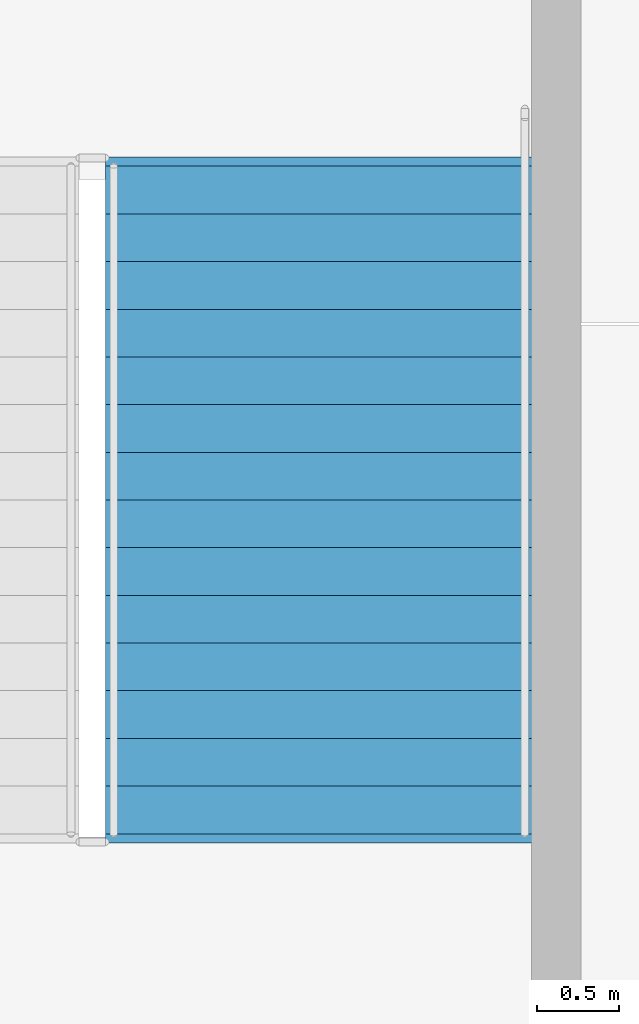
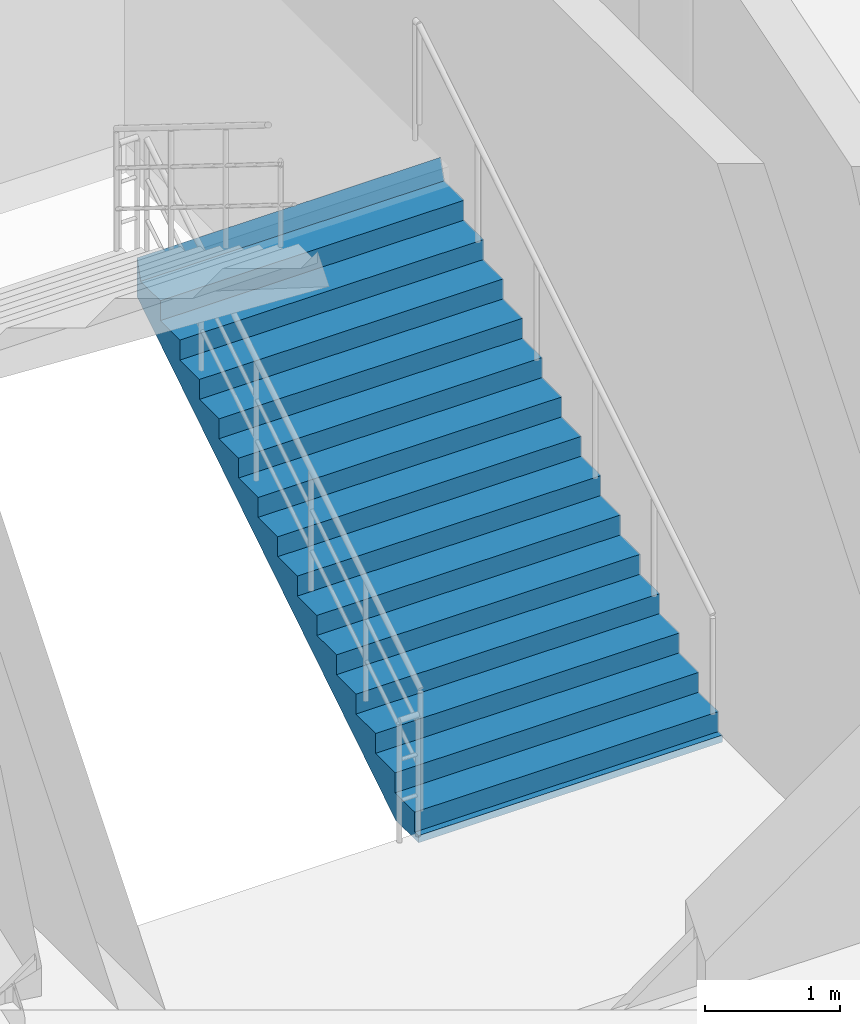
# One storey, part 75 of 93: 1 stair flight, 1 element without a shape of its own.
"""IFC4 building model written with IfcOpenShell, lengths in metres."""

import ifcopenshell
import ifcopenshell.guid

model = None  # the IFC model being written
_history = None  # IfcOwnerHistory: only IFC2X3 demands one
_inside = {}  # id of a spatial element -> (the spatial element, [elements in it])
_under = {}  # id of a project, library or spatial element -> (it, [spatial elements below it])
_declared = {}  # id of a project -> (the project, [libraries it declares])
_typed = {}  # id of a type object -> (the type object, [elements of that type])
_made_of = {}  # id of a material, layer set ... -> (it, [elements and type objects made of it])


def new_model(schema):
    """Start an empty IFC model of exactly this schema.

    Asked for "IFC4X3", IfcOpenShell would pick the latest addendum, in which some entities
    have other attributes; the version numbers below select the first issue.
    IFC2X3 requires an IfcOwnerHistory on every rooted entity: one is made here for all.
    """
    global model, _history
    if schema == "IFC4X3":
        model = ifcopenshell.file(schema_version=(4, 3, 0, 0))
    else:
        model = ifcopenshell.file(schema=schema)
    _inside.clear()
    _under.clear()
    _declared.clear()
    _typed.clear()
    _made_of.clear()
    _history = None
    if model.schema == "IFC2X3":
        org = make("IfcOrganization", Name="unknown")
        user = make(
            "IfcPersonAndOrganization",
            ThePerson=make("IfcPerson", FamilyName="unknown"),
            TheOrganization=org,
        )
        app = make(
            "IfcApplication",
            ApplicationDeveloper=org,
            Version="unknown",
            ApplicationFullName="unknown",
            ApplicationIdentifier="unknown",
        )
        _history = make(
            "IfcOwnerHistory",
            OwningUser=user,
            OwningApplication=app,
            ChangeAction="ADDED",
            CreationDate=0,
        )
    return model


def make(cls, **values):
    """One entity of the class cls with the attributes given. An attribute that is None is left unset."""
    return model.create_entity(
        cls, **{name: value for name, value in values.items() if value is not None}
    )


def rooted(cls, **values):
    """An entity with a GlobalId (a new one), such as an element, a storey or a relation."""
    return make(cls, GlobalId=ifcopenshell.guid.new(), OwnerHistory=_history, **values)


def si_unit(unit_type, name, prefix=None):
    """IfcSIUnit, for example si_unit("LENGTHUNIT", "METRE", prefix="MILLI")."""
    return make("IfcSIUnit", UnitType=unit_type, Prefix=prefix, Name=name)


def assignment(units):
    """IfcUnitAssignment: the units of a project."""
    return None if units is None else make("IfcUnitAssignment", Units=units)


def point(xyz):
    """IfcCartesianPoint."""
    return None if xyz is None else make("IfcCartesianPoint", Coordinates=xyz)


def direction(xyz):
    """IfcDirection."""
    return None if xyz is None else make("IfcDirection", DirectionRatios=xyz)


def frame(location, z_axis=None, x_axis=None):
    """IfcAxis2Placement3D, a coordinate frame: its origin and axes. An axis left out is left unset."""
    return make(
        "IfcAxis2Placement3D",
        Location=point(location),
        Axis=direction(z_axis),
        RefDirection=direction(x_axis),
    )


def origin():
    """The frame at (0, 0, 0) with its axes left unset."""
    return frame((0.0, 0.0, 0.0))


def place(relative_to, where):
    """IfcLocalPlacement: puts the frame where relative to a parent placement (None: the world)."""
    return make(
        "IfcLocalPlacement", PlacementRelTo=relative_to, RelativePlacement=where
    )


def context(
    kind, dimensions, precision=None, world=None, true_north=None, identifier=None
):
    """IfcGeometricRepresentationContext, for example the 3D "Model" context."""
    return make(
        "IfcGeometricRepresentationContext",
        ContextIdentifier=identifier,
        ContextType=kind,
        CoordinateSpaceDimension=dimensions,
        Precision=precision,
        WorldCoordinateSystem=world,
        TrueNorth=true_north,
    )


def subcontext(parent, identifier, kind, view, scale=None):
    """IfcGeometricRepresentationSubContext, for example "Body" below "Model"."""
    return make(
        "IfcGeometricRepresentationSubContext",
        ContextIdentifier=identifier,
        ContextType=kind,
        ParentContext=parent,
        TargetScale=scale,
        TargetView=view,
    )


def project(units=None, contexts=None):
    """IfcProject with its units and contexts."""
    return rooted(
        "IfcProject",
        Name="project",
        RepresentationContexts=contexts,
        UnitsInContext=assignment(units),
    )


def spatial(cls, under=None, at=None, **own):
    """A site, building, storey or space (cls), placed at a placement, below another one or the project."""
    s = rooted(cls, ObjectPlacement=at, **own)
    if under is not None:
        _under.setdefault(under.id(), (under, []))[1].append(s)
    return s


def polyline(points):
    """IfcPolyline through the points."""
    return make("IfcPolyline", Points=[point(p) for p in points])


def outline(outer, holes=None, kind="AREA"):
    """IfcArbitraryClosedProfileDef: a profile drawn as a closed curve; with holes, ...WithVoids."""
    if holes is None:
        return make("IfcArbitraryClosedProfileDef", ProfileType=kind, OuterCurve=outer)
    return make(
        "IfcArbitraryProfileDefWithVoids",
        ProfileType=kind,
        OuterCurve=outer,
        InnerCurves=holes,
    )


def extrude(swept, where, along, depth):
    """IfcExtrudedAreaSolid: the profile swept, set in the frame where, extruded along a direction by depth."""
    return make(
        "IfcExtrudedAreaSolid",
        SweptArea=swept,
        Position=where,
        ExtrudedDirection=direction(along),
        Depth=depth,
    )


def shape(context_of_items, identifier, shape_type, items):
    """IfcShapeRepresentation: the items that make up one representation, for example the "Body"."""
    return make(
        "IfcShapeRepresentation",
        ContextOfItems=context_of_items,
        RepresentationIdentifier=identifier,
        RepresentationType=shape_type,
        Items=items,
    )


def material(Name=None, Category=None):
    """IfcMaterial."""
    return make("IfcMaterial", Name=Name, Category=Category)


def made_of(thing, what):
    """Note that an element or type object is made of a material, layer set ...; save() writes the relation."""
    if what is not None:
        _made_of.setdefault(what.id(), (what, []))[1].append(thing)
    return thing


def type_object(cls, material=None, **own):
    """A type object (cls), such as IfcWallType, which elements share."""
    return made_of(rooted(cls, **own), material)


def element(
    cls,
    number,
    at=None,
    inside=None,
    cuts=None,
    type_object=None,
    material=None,
    context=None,
    identifier="Body",
    shape_type=None,
    held_by="IfcProductDefinitionShape",
    body=None,
    shapes=None,
    **own,
):
    """One element of the class cls, such as IfcWall. Its Tag is "e" and its number.

    at: its placement. inside: the storey or other place that contains it. cuts: it is an
    opening in that element (IfcRelVoidsElement). A single representation is given by context,
    identifier, shape_type and body (its items); several are given by shapes. held_by: the class
    of the entity that holds the representations. save() writes the other relations.
    """
    e = rooted(cls, Tag="e%d" % number, ObjectPlacement=at, **own)
    if body is not None:
        shapes = [shape(context, identifier, shape_type, body)]
    if shapes is not None:
        e.Representation = make(held_by, Representations=shapes)
    if inside is not None:
        _inside.setdefault(inside.id(), (inside, []))[1].append(e)
    if cuts is not None:
        rooted(
            "IfcRelVoidsElement", RelatingBuildingElement=cuts, RelatedOpeningElement=e
        )
    if type_object is not None:
        _typed.setdefault(type_object.id(), (type_object, []))[1].append(e)
    return made_of(e, material)


def aggregate(whole, parts):
    """IfcRelAggregates: a whole, such as a stair, and the parts it consists of."""
    return rooted("IfcRelAggregates", RelatingObject=whole, RelatedObjects=parts)


def save(model, path):
    """Write the relations noted so far, then the file.

    IfcRelAggregates (storeys below a building ...), IfcRelContainedInSpatialStructure (elements
    in a storey), IfcRelDefinesByType, IfcRelAssociatesMaterial and IfcRelDeclares: one each for
    every whole, place, type object, material and project.
    """
    for whole, parts in _under.values():
        aggregate(whole, parts)
    for where, things in _inside.values():
        rooted(
            "IfcRelContainedInSpatialStructure",
            RelatedElements=things,
            RelatingStructure=where,
        )
    for kind, things in _typed.values():
        rooted("IfcRelDefinesByType", RelatedObjects=things, RelatingType=kind)
    for what, things in _made_of.values():
        rooted("IfcRelAssociatesMaterial", RelatedObjects=things, RelatingMaterial=what)
    for by, libraries in _declared.values():
        rooted("IfcRelDeclares", RelatingContext=by, RelatedDefinitions=libraries)
    model.write(path)


model = new_model("IFC4")

# Units and contexts
model_context = context("Model", 3, precision=1e-05, world=origin(), true_north=direction((0.0, 1.0)))
body_context = subcontext(model_context, "Body", "Model", "MODEL_VIEW")
ifc_project = project(units=[si_unit("LENGTHUNIT", "METRE"), si_unit("AREAUNIT", "SQUARE_METRE"), si_unit("VOLUMEUNIT", "CUBIC_METRE"), si_unit("PLANEANGLEUNIT", "RADIAN"), si_unit("MASSUNIT", "GRAM", prefix="KILO")], contexts=[model_context])

# Site, building, storey
site_placement = place(None, origin())
site = spatial("IfcSite", under=ifc_project, at=site_placement, CompositionType="ELEMENT")
building_placement = place(site_placement, origin())
building = spatial("IfcBuilding", under=site, at=building_placement, Name="Cinderbank Siding Concert Hall", CompositionType="ELEMENT")
storey_placement = place(building_placement, origin())
storey = spatial("IfcBuildingStorey", under=building, at=storey_placement, Name="L01", CompositionType="ELEMENT", Elevation=0.0)

# Stair, stair flight
ifc_material = material(Name="Reinforced concrete AS 3600 N50 (50 MPa)", Category="concrete")
stair_type = type_object("IfcStairType", Name="STR-B Dogleg Exit Stair 2600mm", PredefinedType="HALF_TURN_STAIR", material=ifc_material)
stair_placement = place(storey_placement, origin())
stair = element("IfcStair", 1, at=stair_placement, inside=storey, type_object=stair_type, Name="L01 Fire-isolated Exit Stair ST-03", PredefinedType="HALF_TURN_STAIR")
stair_flight_type = type_object("IfcStairFlightType", Name="SFL-B Concrete Stair Flight 2600mm", PredefinedType="STRAIGHT", material=ifc_material)
stair_flight_placement = place(storey_placement, frame((145.89990234375, 40.89990234375, 0.0), z_axis=(0.0, 0.0, 1.0), x_axis=(0.0, 1.0, 0.0)))
stair_flight = element("IfcStairFlight", 2, at=stair_flight_placement, type_object=stair_flight_type, Name="ST-03 flight 1", NumberOfRisers=15, NumberOfTreads=14, PredefinedType="STRAIGHT", RiserHeight=0.18, TreadLength=0.29, context=body_context, shape_type="SweptSolid", body=[
    extrude(outline(polyline([(0.0, 0.0), (0.0, 0.179931640625), (0.2900390625, 0.179931640625), (0.2900390625, 0.360107421875), (0.580078125, 0.360107421875), (0.580078125, 0.5400390625), (0.8701171875, 0.5400390625), (0.8701171875, 0.719970703125), (1.159912109375, 0.719970703125), (1.159912109375, 0.89990234375), (1.449951171875, 0.89990234375), (1.449951171875, 1.080078125), (1.739990234375, 1.080078125), (1.739990234375, 1.260009765625), (2.030029296875, 1.260009765625), (2.030029296875, 1.43994140625), (2.320068359375, 1.43994140625), (2.320068359375, 1.6201171875), (2.610107421875, 1.6201171875), (2.610107421875, 1.800048828125), (2.89990234375, 1.800048828125), (2.89990234375, 1.97998046875), (3.18994140625, 1.97998046875), (3.18994140625, 2.159912109375), (3.47998046875, 2.159912109375), (3.47998046875, 2.340087890625), (3.77001953125, 2.340087890625), (3.77001953125, 2.52001953125), (4.06005859375, 2.52001953125), (4.114990234375, 2.699951171875), (4.114990234375, 2.343505859375), (4.11474609375, 2.34375), (4.11474609375, 2.343994140625), (4.11474609375, 2.34423828125), (4.11474609375, 2.344482421875), (4.11474609375, 2.3447265625), (4.11474609375, 2.344970703125), (4.11474609375, 2.34521484375), (4.11474609375, 2.345458984375), (4.11474609375, 2.345703125), (4.11474609375, 2.345947265625), (4.11474609375, 2.34619140625), (4.11474609375, 2.346435546875), (4.114501953125, 2.346435546875), (4.114501953125, 2.34619140625), (4.114501953125, 2.345947265625), (4.114501953125, 2.345703125), (4.114501953125, 2.345458984375), (4.114501953125, 2.34521484375), (4.114501953125, 2.344970703125), (4.114501953125, 2.3447265625), (4.114501953125, 2.344482421875), (4.114501953125, 2.34423828125), (4.114501953125, 2.343994140625), (4.114501953125, 2.34375), (4.114501953125, 2.343505859375), (4.1142578125, 2.34375), (4.1142578125, 2.343994140625), (4.1142578125, 2.34423828125), (4.1142578125, 2.344482421875), (4.1142578125, 2.3447265625), (4.1142578125, 2.344970703125), (4.1142578125, 2.34521484375), (4.1142578125, 2.345458984375), (4.1142578125, 2.345703125), (4.1142578125, 2.345947265625), (4.1142578125, 2.34619140625), (4.1142578125, 2.346435546875), (4.114013671875, 2.346435546875), (4.114013671875, 2.34619140625), (4.114013671875, 2.345947265625), (4.114013671875, 2.345703125), (4.114013671875, 2.345458984375), (4.114013671875, 2.34521484375), (4.114013671875, 2.344970703125), (4.114013671875, 2.3447265625), (4.114013671875, 2.344482421875), (4.114013671875, 2.34423828125), (4.114013671875, 2.343994140625), (4.114013671875, 2.34375), (4.114013671875, 2.343505859375), (4.11376953125, 2.34375), (4.11376953125, 2.343994140625), (4.11376953125, 2.34423828125), (4.11376953125, 2.344482421875), (4.11376953125, 2.3447265625), (4.11376953125, 2.344970703125), (4.11376953125, 2.34521484375), (4.11376953125, 2.345458984375), (4.11376953125, 2.345703125), (4.11376953125, 2.345947265625), (4.11376953125, 2.34619140625), (4.11376953125, 2.346435546875), (4.113525390625, 2.346435546875), (4.113525390625, 2.34619140625), (4.113525390625, 2.345947265625), (4.113525390625, 2.345703125), (4.113525390625, 2.345458984375), (4.113525390625, 2.34521484375), (4.113525390625, 2.344970703125), (4.113525390625, 2.3447265625), (4.113525390625, 2.344482421875), (4.113525390625, 2.34423828125), (4.113525390625, 2.343994140625), (4.113525390625, 2.34375), (4.113525390625, 2.343505859375), (4.11328125, 2.34375), (4.11328125, 2.343994140625), (4.11328125, 2.34423828125), (4.11328125, 2.344482421875), (4.11328125, 2.3447265625), (4.11328125, 2.344970703125), (4.11328125, 2.34521484375), (4.11328125, 2.345458984375), (4.11328125, 2.345703125), (4.11328125, 2.345947265625), (4.11328125, 2.34619140625), (4.11328125, 2.346435546875), (4.113037109375, 2.346435546875), (4.113037109375, 2.34619140625), (4.113037109375, 2.345947265625), (4.113037109375, 2.345703125), (4.113037109375, 2.345458984375), (4.113037109375, 2.34521484375), (4.113037109375, 2.344970703125), (4.113037109375, 2.3447265625), (4.113037109375, 2.344482421875), (4.113037109375, 2.34423828125), (4.113037109375, 2.343994140625), (4.113037109375, 2.34375), (4.113037109375, 2.343505859375), (4.11279296875, 2.34375), (4.11279296875, 2.343994140625), (4.11279296875, 2.34423828125), (4.11279296875, 2.344482421875), (4.11279296875, 2.3447265625), (4.11279296875, 2.344970703125), (4.11279296875, 2.34521484375), (4.11279296875, 2.345458984375), (4.11279296875, 2.345703125), (4.11279296875, 2.345947265625), (4.11279296875, 2.34619140625), (4.11279296875, 2.346435546875), (4.112548828125, 2.346435546875), (4.112548828125, 2.34619140625), (4.112548828125, 2.345947265625), (4.112548828125, 2.345703125), (4.112548828125, 2.345458984375), (4.112548828125, 2.34521484375), (4.112548828125, 2.344970703125), (4.112548828125, 2.3447265625), (4.112548828125, 2.344482421875), (4.112548828125, 2.34423828125), (4.112548828125, 2.343994140625), (4.112548828125, 2.34375), (4.112548828125, 2.343505859375), (4.1123046875, 2.34375), (4.1123046875, 2.343994140625), (4.1123046875, 2.34423828125), (4.1123046875, 2.344482421875), (4.1123046875, 2.3447265625), (4.1123046875, 2.344970703125), (4.1123046875, 2.34521484375), (4.1123046875, 2.345458984375), (4.1123046875, 2.345703125), (4.1123046875, 2.345947265625), (4.1123046875, 2.34619140625), (4.1123046875, 2.346435546875), (4.112060546875, 2.346435546875), (4.112060546875, 2.34619140625), (4.112060546875, 2.345947265625), (4.112060546875, 2.345703125), (4.112060546875, 2.345458984375), (4.112060546875, 2.34521484375), (4.112060546875, 2.344970703125), (4.112060546875, 2.3447265625), (4.112060546875, 2.344482421875), (4.112060546875, 2.34423828125), (4.112060546875, 2.343994140625), (4.112060546875, 2.34375), (4.112060546875, 2.343505859375), (4.11181640625, 2.34375), (4.11181640625, 2.343994140625), (4.11181640625, 2.34423828125), (4.11181640625, 2.344482421875), (4.11181640625, 2.3447265625), (4.11181640625, 2.344970703125), (4.11181640625, 2.34521484375), (4.11181640625, 2.345458984375), (4.11181640625, 2.345703125), (4.11181640625, 2.345947265625), (4.11181640625, 2.34619140625), (4.11181640625, 2.346435546875), (4.111572265625, 2.346435546875), (4.111572265625, 2.34619140625), (4.111572265625, 2.345947265625), (4.111572265625, 2.345703125), (4.111572265625, 2.345458984375), (4.111572265625, 2.34521484375), (4.111572265625, 2.344970703125), (4.111572265625, 2.3447265625), (4.111572265625, 2.344482421875), (4.111572265625, 2.34423828125), (4.111572265625, 2.343994140625), (4.111572265625, 2.34375), (4.111572265625, 2.343505859375), (4.111328125, 2.34375), (4.111328125, 2.343994140625), (4.111328125, 2.34423828125), (4.111328125, 2.344482421875), (4.111328125, 2.3447265625), (4.111328125, 2.344970703125), (4.111328125, 2.34521484375), (4.111328125, 2.345458984375), (4.111328125, 2.345703125), (4.111328125, 2.345947265625), (4.111328125, 2.34619140625), (4.111328125, 2.346435546875), (4.111083984375, 2.346435546875), (4.111083984375, 2.34619140625), (4.111083984375, 2.345947265625), (4.111083984375, 2.345703125), (4.111083984375, 2.345458984375), (4.111083984375, 2.34521484375), (4.111083984375, 2.344970703125), (4.111083984375, 2.3447265625), (4.111083984375, 2.344482421875), (4.111083984375, 2.34423828125), (4.111083984375, 2.343994140625), (4.111083984375, 2.34375), (4.111083984375, 2.343505859375), (4.11083984375, 2.34375), (4.11083984375, 2.343994140625), (4.11083984375, 2.34423828125), (4.11083984375, 2.344482421875), (4.11083984375, 2.3447265625), (4.11083984375, 2.344970703125), (4.11083984375, 2.34521484375), (4.11083984375, 2.345458984375), (4.11083984375, 2.345703125), (4.11083984375, 2.345947265625), (4.11083984375, 2.34619140625), (4.11083984375, 2.346435546875), (4.110595703125, 2.346435546875), (4.110595703125, 2.34619140625), (4.110595703125, 2.345947265625), (4.110595703125, 2.345703125), (4.110595703125, 2.345458984375), (4.110595703125, 2.34521484375), (4.110595703125, 2.344970703125), (4.110595703125, 2.3447265625), (4.110595703125, 2.344482421875), (4.110595703125, 2.34423828125), (4.110595703125, 2.343994140625), (4.110595703125, 2.34375), (4.110595703125, 2.343505859375), (4.1103515625, 2.34375), (4.1103515625, 2.343994140625), (4.1103515625, 2.34423828125), (4.1103515625, 2.344482421875), (4.1103515625, 2.3447265625), (4.1103515625, 2.344970703125), (4.1103515625, 2.34521484375), (4.1103515625, 2.345458984375), (4.1103515625, 2.345703125), (4.1103515625, 2.345947265625), (4.1103515625, 2.34619140625), (4.1103515625, 2.346435546875), (4.110107421875, 2.346435546875), (4.110107421875, 2.34619140625), (4.110107421875, 2.345947265625), (4.110107421875, 2.345703125), (4.110107421875, 2.345458984375), (4.110107421875, 2.34521484375), (4.110107421875, 2.344970703125), (4.110107421875, 2.3447265625), (4.110107421875, 2.344482421875), (4.110107421875, 2.34423828125), (4.110107421875, 2.343994140625), (4.110107421875, 2.34375), (4.110107421875, 2.343505859375), (4.10986328125, 2.34375), (4.10986328125, 2.343994140625), (4.10986328125, 2.34423828125), (4.10986328125, 2.344482421875), (4.10986328125, 2.3447265625), (4.10986328125, 2.344970703125), (4.10986328125, 2.34521484375), (4.10986328125, 2.345458984375), (4.10986328125, 2.345703125), (4.10986328125, 2.345947265625), (4.10986328125, 2.34619140625), (4.10986328125, 2.346435546875), (4.109619140625, 2.346435546875), (4.109619140625, 2.34619140625), (4.109619140625, 2.345947265625), (4.109619140625, 2.345703125), (4.109619140625, 2.345458984375), (4.109619140625, 2.34521484375), (4.109619140625, 2.344970703125), (4.109619140625, 2.3447265625), (4.109619140625, 2.344482421875), (4.109619140625, 2.34423828125), (4.109619140625, 2.343994140625), (4.109619140625, 2.34375), (4.109619140625, 2.343505859375), (4.109375, 2.34375), (4.109375, 2.343994140625), (4.109375, 2.34423828125), (4.109375, 2.344482421875), (4.109375, 2.3447265625), (4.109375, 2.344970703125), (4.109375, 2.34521484375), (4.109375, 2.345458984375), (4.109375, 2.345703125), (4.109375, 2.345947265625), (4.109375, 2.34619140625), (4.109375, 2.346435546875), (4.109130859375, 2.346435546875), (4.109130859375, 2.34619140625), (4.109130859375, 2.345947265625), (4.109130859375, 2.345703125), (4.109130859375, 2.345458984375), (4.109130859375, 2.34521484375), (4.109130859375, 2.344970703125), (4.109130859375, 2.3447265625), (4.109130859375, 2.344482421875), (4.109130859375, 2.34423828125), (4.109130859375, 2.343994140625), (4.109130859375, 2.34375), (4.109130859375, 2.343505859375), (4.10888671875, 2.34375), (4.10888671875, 2.343994140625), (4.10888671875, 2.34423828125), (4.10888671875, 2.344482421875), (4.10888671875, 2.3447265625), (4.10888671875, 2.344970703125), (4.10888671875, 2.34521484375), (4.10888671875, 2.345458984375), (4.10888671875, 2.345703125), (4.10888671875, 2.345947265625), (4.10888671875, 2.34619140625), (4.10888671875, 2.346435546875), (4.108642578125, 2.346435546875), (4.108642578125, 2.34619140625), (4.108642578125, 2.345947265625), (4.108642578125, 2.345703125), (4.108642578125, 2.345458984375), (4.108642578125, 2.34521484375), (4.108642578125, 2.344970703125), (4.108642578125, 2.3447265625), (4.108642578125, 2.344482421875), (4.108642578125, 2.34423828125), (4.108642578125, 2.343994140625), (4.108642578125, 2.34375), (4.108642578125, 2.343505859375), (0.2841796875, -0.06396484375), (-0.048583984375, -0.063720703125), (-0.048583984375, -0.0634765625), (-0.048583984375, -0.063232421875), (-0.048583984375, -0.06298828125), (-0.048583984375, -0.062744140625), (-0.048583984375, -0.0625), (-0.048583984375, -0.062255859375), (-0.048583984375, -0.06201171875), (-0.048583984375, -0.061767578125), (-0.048583984375, -0.0615234375), (-0.048583984375, -0.061279296875), (-0.048583984375, -0.06103515625), (-0.048828125, -0.06103515625), (-0.048828125, -0.061279296875), (-0.048828125, -0.0615234375), (-0.048828125, -0.061767578125), (-0.048828125, -0.06201171875), (-0.048828125, -0.062255859375), (-0.048828125, -0.0625), (-0.048828125, -0.062744140625), (-0.048828125, -0.06298828125), (-0.048828125, -0.063232421875), (-0.048828125, -0.0634765625), (-0.048828125, -0.063720703125), (-0.048828125, -0.06396484375), (-0.049072265625, -0.063720703125), (-0.049072265625, -0.0634765625), (-0.049072265625, -0.063232421875), (-0.049072265625, -0.06298828125), (-0.049072265625, -0.062744140625), (-0.049072265625, -0.0625), (-0.049072265625, -0.062255859375), (-0.049072265625, -0.06201171875), (-0.049072265625, -0.061767578125), (-0.049072265625, -0.0615234375), (-0.049072265625, -0.061279296875), (-0.049072265625, -0.06103515625), (-0.04931640625, -0.06103515625), (-0.04931640625, -0.061279296875), (-0.04931640625, -0.0615234375), (-0.04931640625, -0.061767578125), (-0.04931640625, -0.06201171875), (-0.04931640625, -0.062255859375), (-0.04931640625, -0.0625), (-0.04931640625, -0.062744140625), (-0.04931640625, -0.06298828125), (-0.04931640625, -0.063232421875), (-0.04931640625, -0.0634765625), (-0.04931640625, -0.063720703125), (-0.04931640625, -0.06396484375), (-0.049560546875, -0.063720703125), (-0.049560546875, -0.0634765625), (-0.049560546875, -0.063232421875), (-0.049560546875, -0.06298828125), (-0.049560546875, -0.062744140625), (-0.049560546875, -0.0625), (-0.049560546875, -0.062255859375), (-0.049560546875, -0.06201171875), (-0.049560546875, -0.061767578125), (-0.049560546875, -0.0615234375), (-0.049560546875, -0.061279296875), (-0.049560546875, -0.06103515625), (-0.0498046875, -0.06103515625), (-0.0498046875, -0.061279296875), (-0.0498046875, -0.0615234375), (-0.0498046875, -0.061767578125), (-0.0498046875, -0.06201171875), (-0.0498046875, -0.062255859375), (-0.0498046875, -0.0625), (-0.0498046875, -0.062744140625), (-0.0498046875, -0.06298828125), (-0.0498046875, -0.063232421875), (-0.0498046875, -0.0634765625), (-0.0498046875, -0.063720703125), (-0.0498046875, -0.06396484375), (-0.050048828125, -0.063720703125), (-0.050048828125, -0.0634765625), (-0.050048828125, -0.063232421875), (-0.050048828125, -0.06298828125), (-0.050048828125, -0.062744140625), (-0.050048828125, -0.0625), (-0.050048828125, -0.062255859375), (-0.050048828125, -0.06201171875), (-0.050048828125, -0.061767578125), (-0.050048828125, -0.0615234375), (-0.050048828125, -0.061279296875), (-0.050048828125, -0.06103515625), (-0.05029296875, -0.06103515625), (-0.05029296875, -0.061279296875), (-0.05029296875, -0.0615234375), (-0.05029296875, -0.061767578125), (-0.05029296875, -0.06201171875), (-0.05029296875, -0.062255859375), (-0.05029296875, -0.0625), (-0.05029296875, -0.062744140625), (-0.05029296875, -0.06298828125), (-0.05029296875, -0.063232421875), (-0.05029296875, -0.0634765625), (-0.05029296875, -0.063720703125), (-0.05029296875, -0.06396484375), (-0.050537109375, -0.063720703125), (-0.050537109375, -0.0634765625), (-0.050537109375, -0.063232421875), (-0.050537109375, -0.06298828125), (-0.050537109375, -0.062744140625), (-0.050537109375, -0.0625), (-0.050537109375, -0.062255859375), (-0.050537109375, -0.06201171875), (-0.050537109375, -0.061767578125), (-0.050537109375, -0.0615234375), (-0.050537109375, -0.061279296875), (-0.050537109375, -0.06103515625), (-0.05078125, -0.06103515625), (-0.05078125, -0.061279296875), (-0.05078125, -0.0615234375), (-0.05078125, -0.061767578125), (-0.05078125, -0.06201171875), (-0.05078125, -0.062255859375), (-0.05078125, -0.0625), (-0.05078125, -0.062744140625), (-0.05078125, -0.06298828125), (-0.05078125, -0.063232421875), (-0.05078125, -0.0634765625), (-0.05078125, -0.063720703125), (-0.05078125, -0.06396484375), (-0.051025390625, -0.063720703125), (-0.051025390625, -0.0634765625), (-0.051025390625, -0.063232421875), (-0.051025390625, -0.06298828125), (-0.051025390625, -0.062744140625), (-0.051025390625, -0.0625), (-0.051025390625, -0.062255859375), (-0.051025390625, -0.06201171875), (-0.051025390625, -0.061767578125), (-0.051025390625, -0.0615234375), (-0.051025390625, -0.061279296875), (-0.051025390625, -0.06103515625), (-0.05126953125, -0.06103515625), (-0.05126953125, -0.061279296875), (-0.05126953125, -0.0615234375), (-0.05126953125, -0.061767578125), (-0.05126953125, -0.06201171875), (-0.05126953125, -0.062255859375), (-0.05126953125, -0.0625), (-0.05126953125, -0.062744140625), (-0.05126953125, -0.06298828125), (-0.05126953125, -0.063232421875), (-0.05126953125, -0.0634765625), (-0.05126953125, -0.063720703125), (-0.05126953125, -0.06396484375), (-0.051513671875, -0.063720703125), (-0.051513671875, -0.0634765625), (-0.051513671875, -0.063232421875), (-0.051513671875, -0.06298828125), (-0.051513671875, -0.062744140625), (-0.051513671875, -0.0625), (-0.051513671875, -0.062255859375), (-0.051513671875, -0.06201171875), (-0.051513671875, -0.061767578125), (-0.051513671875, -0.0615234375), (-0.051513671875, -0.061279296875), (-0.051513671875, -0.06103515625), (-0.0517578125, -0.06103515625), (-0.0517578125, -0.061279296875), (-0.0517578125, -0.0615234375), (-0.0517578125, -0.061767578125), (-0.0517578125, -0.06201171875), (-0.0517578125, -0.062255859375), (-0.0517578125, -0.0625), (-0.0517578125, -0.062744140625), (-0.0517578125, -0.06298828125), (-0.0517578125, -0.063232421875), (-0.0517578125, -0.0634765625), (-0.0517578125, -0.063720703125), (-0.0517578125, -0.06396484375), (-0.052001953125, -0.063720703125), (-0.052001953125, -0.0634765625), (-0.052001953125, -0.063232421875), (-0.052001953125, -0.06298828125), (-0.052001953125, -0.062744140625), (-0.052001953125, -0.0625), (-0.052001953125, -0.062255859375), (-0.052001953125, -0.06201171875), (-0.052001953125, -0.061767578125), (-0.052001953125, -0.0615234375), (-0.052001953125, -0.061279296875), (-0.052001953125, -0.06103515625), (-0.05224609375, -0.06103515625), (-0.05224609375, -0.061279296875), (-0.05224609375, -0.0615234375), (-0.05224609375, -0.061767578125), (-0.05224609375, -0.06201171875), (-0.05224609375, -0.062255859375), (-0.05224609375, -0.0625), (-0.05224609375, -0.062744140625), (-0.05224609375, -0.06298828125), (-0.05224609375, -0.063232421875), (-0.05224609375, -0.0634765625), (-0.05224609375, -0.063720703125), (-0.05224609375, -0.06396484375), (-0.052490234375, -0.063720703125), (-0.052490234375, -0.0634765625), (-0.052490234375, -0.063232421875), (-0.052490234375, -0.06298828125), (-0.052490234375, -0.062744140625), (-0.052490234375, -0.0625), (-0.052490234375, -0.062255859375), (-0.052490234375, -0.06201171875), (-0.052490234375, -0.061767578125), (-0.052490234375, -0.0615234375), (-0.052490234375, -0.061279296875), (-0.052490234375, -0.06103515625), (-0.052734375, -0.06103515625), (-0.052734375, -0.061279296875), (-0.052734375, -0.0615234375), (-0.052734375, -0.061767578125), (-0.052734375, -0.06201171875), (-0.052734375, -0.062255859375), (-0.052734375, -0.0625), (-0.052734375, -0.062744140625), (-0.052734375, -0.06298828125), (-0.052734375, -0.063232421875), (-0.052734375, -0.0634765625), (-0.052734375, -0.063720703125), (-0.052734375, -0.06396484375), (-0.052978515625, -0.063720703125), (-0.052978515625, -0.0634765625), (-0.052978515625, -0.063232421875), (-0.052978515625, -0.06298828125), (-0.052978515625, -0.062744140625), (-0.052978515625, -0.0625), (-0.052978515625, -0.062255859375), (-0.052978515625, -0.06201171875), (-0.052978515625, -0.061767578125), (-0.052978515625, -0.0615234375), (-0.052978515625, -0.061279296875), (-0.052978515625, -0.06103515625), (-0.05322265625, -0.06103515625), (-0.05322265625, -0.061279296875), (-0.05322265625, -0.0615234375), (-0.05322265625, -0.061767578125), (-0.05322265625, -0.06201171875), (-0.05322265625, -0.062255859375), (-0.05322265625, -0.0625), (-0.05322265625, -0.062744140625), (-0.05322265625, -0.06298828125), (-0.05322265625, -0.063232421875), (-0.05322265625, -0.0634765625), (-0.05322265625, -0.063720703125), (-0.05322265625, -0.06396484375), (-0.053466796875, -0.063720703125), (-0.053466796875, -0.0634765625), (-0.053466796875, -0.063232421875), (-0.053466796875, -0.06298828125), (-0.053466796875, -0.062744140625), (-0.053466796875, -0.0625), (-0.053466796875, -0.062255859375), (-0.053466796875, -0.06201171875), (-0.053466796875, -0.061767578125), (-0.053466796875, -0.0615234375), (-0.053466796875, -0.061279296875), (-0.053466796875, -0.06103515625), (-0.0537109375, -0.06103515625), (-0.0537109375, -0.061279296875), (-0.0537109375, -0.0615234375), (-0.0537109375, -0.061767578125), (-0.0537109375, -0.06201171875), (-0.0537109375, -0.062255859375), (-0.0537109375, -0.0625), (-0.0537109375, -0.062744140625), (-0.0537109375, -0.06298828125), (-0.0537109375, -0.063232421875), (-0.0537109375, -0.0634765625), (-0.0537109375, -0.063720703125), (-0.0537109375, -0.06396484375), (-0.053955078125, -0.063720703125), (-0.053955078125, -0.0634765625), (-0.053955078125, -0.063232421875), (-0.053955078125, -0.06298828125), (-0.053955078125, -0.062744140625), (-0.053955078125, -0.0625), (-0.053955078125, -0.062255859375), (-0.053955078125, -0.06201171875), (-0.053955078125, -0.061767578125), (-0.053955078125, -0.0615234375), (-0.053955078125, -0.061279296875), (-0.053955078125, -0.06103515625), (-0.05419921875, -0.06103515625), (-0.05419921875, -0.061279296875), (-0.05419921875, -0.0615234375), (-0.05419921875, -0.061767578125), (-0.05419921875, -0.06201171875), (-0.05419921875, -0.062255859375), (-0.05419921875, -0.0625), (-0.05419921875, -0.062744140625), (-0.05419921875, -0.06298828125), (-0.05419921875, -0.063232421875), (-0.05419921875, -0.0634765625), (-0.05419921875, -0.063720703125), (-0.05419921875, -0.06396484375), (-0.054443359375, -0.063720703125), (-0.054443359375, -0.0634765625), (-0.054443359375, -0.063232421875), (-0.054443359375, -0.06298828125), (-0.054443359375, -0.062744140625), (-0.054443359375, -0.0625), (-0.054443359375, -0.062255859375), (-0.054443359375, -0.06201171875), (-0.054443359375, -0.061767578125), (-0.054443359375, -0.0615234375), (-0.054443359375, -0.061279296875), (-0.054443359375, -0.06103515625), (-0.0546875, -0.06103515625), (-0.0546875, -0.061279296875), (-0.0546875, -0.0615234375), (-0.0546875, -0.061767578125), (-0.0546875, -0.06201171875), (-0.0546875, -0.062255859375), (-0.0546875, -0.0625), (-0.0546875, -0.062744140625), (-0.0546875, -0.06298828125), (-0.0546875, -0.063232421875), (-0.0546875, -0.0634765625), (-0.0546875, -0.063720703125), (-0.0546875, -0.06396484375), (-0.054931640625, -0.06396484375), (-0.054931640625, 0.0), (0.0, 0.0)])), frame((0.0, 1.300048828125, 0.0), z_axis=(0.0, -1.0, 0.0), x_axis=(1.0, 0.0, 0.0)), (0.0, 0.0, 1.0), 2.60009765625),
])
aggregate(stair, [stair_flight])

save(model, "model.ifc")
